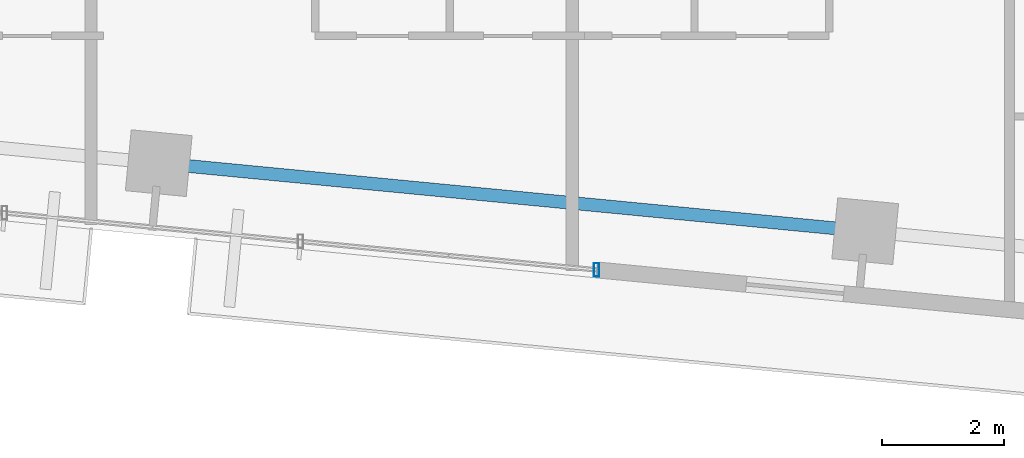
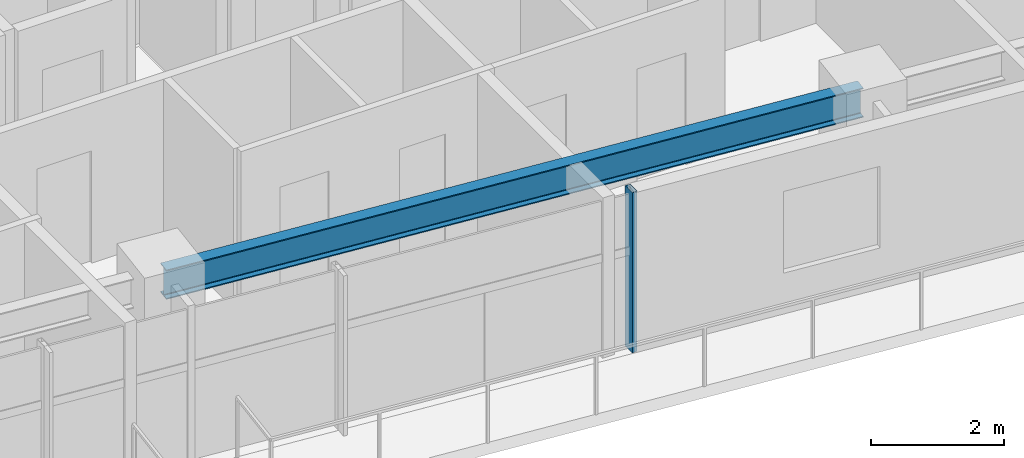
# One storey, part 8 of 19: 1 beam, 1 member, 1 element without a shape of its own.
"""IFC4 building model written with IfcOpenShell, lengths in metres."""

from ifc_helpers import new_model, si_unit, direction, frame, origin, origin_2d, place, context, subcontext, project, spatial, hollow_rectangle, i_section, extrude, source, transform, mapped, material, material_profile, profile_set, type_object, type_shapes, element, aggregate, save


model = new_model("IFC4")

# Units and contexts
model_context = context("Model", 3, precision=1e-05, world=origin(), true_north=direction((0.0, 1.0)))
body_context = subcontext(model_context, "Body", "Model", "MODEL_VIEW")
ifc_project = project(units=[si_unit("LENGTHUNIT", "METRE"), si_unit("AREAUNIT", "SQUARE_METRE"), si_unit("VOLUMEUNIT", "CUBIC_METRE"), si_unit("PLANEANGLEUNIT", "RADIAN"), si_unit("MASSUNIT", "GRAM", prefix="KILO")], contexts=[model_context])

# Site, building, storey
site_placement = place(None, origin())
site = spatial("IfcSite", under=ifc_project, at=site_placement, CompositionType="ELEMENT")
building_placement = place(site_placement, origin())
building = spatial("IfcBuilding", under=site, at=building_placement, Name="Astriad Promenade Condominiums", CompositionType="ELEMENT")
storey_placement = place(building_placement, frame((0.0, 0.0, 150.199951171875)))
storey = spatial("IfcBuildingStorey", under=building, at=storey_placement, Name="L43", CompositionType="ELEMENT", Elevation=150.199951171875)

# Beam
ifc_material_1 = material(Name="Steel ASTM A992 Grade 50", Category="steel")
ifc_material_profile_1 = material_profile(ifc_material_1, i_section(OverallWidth=0.210693359375, OverallDepth=0.53955078125, WebThickness=0.01171875, FlangeThickness=0.018798828125, FilletRadius=0.0166015625, at=origin_2d()), Name="W21X73")
ifc_profile_set_1 = profile_set([ifc_material_profile_1], Name="Steel ASTM A992 Grade 50")
beam_type = type_object("IfcBeamType", Name="STEEL SPANDREL BEAM W21X73", PredefinedType="SPANDREL", material=ifc_profile_set_1)
shared_shape_1 = source(origin(), body_context, "Body", "SweptSolid", [
    extrude(i_section(OverallWidth=0.210693359375, OverallDepth=0.53955078125, WebThickness=0.01171875, FlangeThickness=0.018798828125, FilletRadius=0.0166015625, at=origin_2d()), origin(), (0.0, 0.0, 1.0), 11.52001953125),
])
type_shapes(beam_type, [shared_shape_1])
beam_placement = place(storey_placement, frame((32.013671875, 8.2158203125, 2.670166015625), z_axis=(0.995397412028, -0.095833147335, 0.0), x_axis=(0.095833147335, 0.995397412028, 0.0)))
element("IfcBeam", 1, at=beam_placement, inside=storey, type_object=beam_type, Name="Perimeter Spandrel Beam SP-S3-L43", PredefinedType="SPANDREL", context=body_context, shape_type="MappedRepresentation", body=[
    mapped(shared_shape_1, transform((0.0, 0.0, 0.0), scale=1.0)),
])

# Curtain wall, member
ifc_material_2 = material(Name="Anodised aluminium Black Dark Glass Unitised", Category="aluminium")
curtain_wall_type = type_object("IfcCurtainWallType", Name="CW-B34-DARK", PredefinedType="USERDEFINED", material=ifc_material_2)
curtain_wall_placement = place(storey_placement, origin())
curtain_wall = element("IfcCurtainWall", 2, at=curtain_wall_placement, inside=storey, type_object=curtain_wall_type, Name="CW-L43-S", ObjectType="UNITISED_CURTAIN_WALL", PredefinedType="USERDEFINED")
ifc_material_3 = material(Name="Anodised aluminium 6063-T6 Black", Category="aluminium")
ifc_material_profile_2 = material_profile(ifc_material_3, hollow_rectangle(XDim=0.0849609375, YDim=0.219970703125, WallThickness=0.0048828125, at=origin_2d()), Name="ALU-MUL-85X220")
ifc_profile_set_2 = profile_set([ifc_material_profile_2], Name="Anodised aluminium 6063-T6 Black")
member_type = type_object("IfcMemberType", Name="MUL-ALU-MUL-85X220", PredefinedType="MULLION", material=ifc_profile_set_2)
shared_shape_2 = source(origin(), body_context, "Body", "SweptSolid", [
    extrude(hollow_rectangle(XDim=0.0849609375, YDim=0.219970703125, WallThickness=0.0048828125, at=origin_2d()), origin(), (0.0, 0.0, 1.0), 2.93994140625),
])
type_shapes(member_type, [shared_shape_2])
member_placement = place(storey_placement, frame((39.129638671875, 6.475830078125, 0.0), z_axis=(0.0, 0.0, 1.0), x_axis=(1.0, 0.0, 0.0)))
member = element("IfcMember", 3, at=member_placement, type_object=member_type, Name="CW-L43-S-MUL-00", PredefinedType="MULLION", context=body_context, shape_type="MappedRepresentation", body=[
    mapped(shared_shape_2, transform((0.0, 0.0, 0.0), scale=1.0)),
])
aggregate(curtain_wall, [member])

save(model, "model.ifc")
